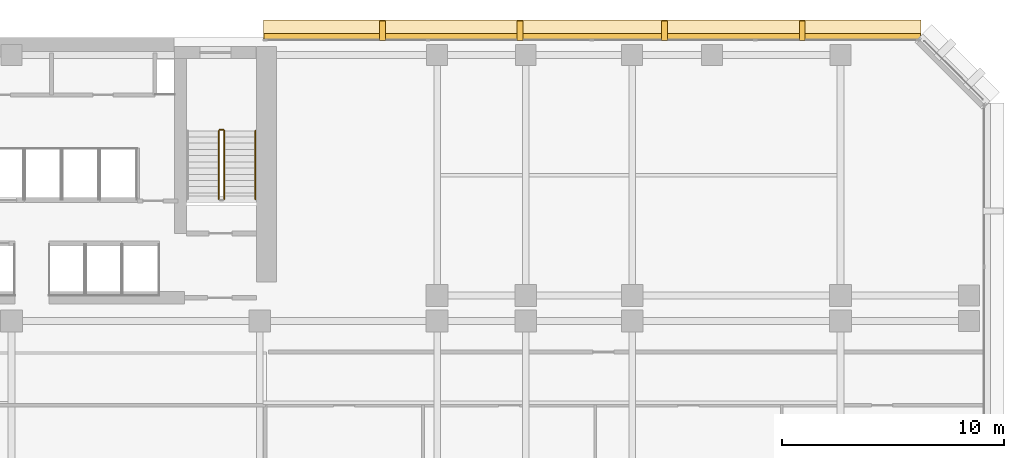
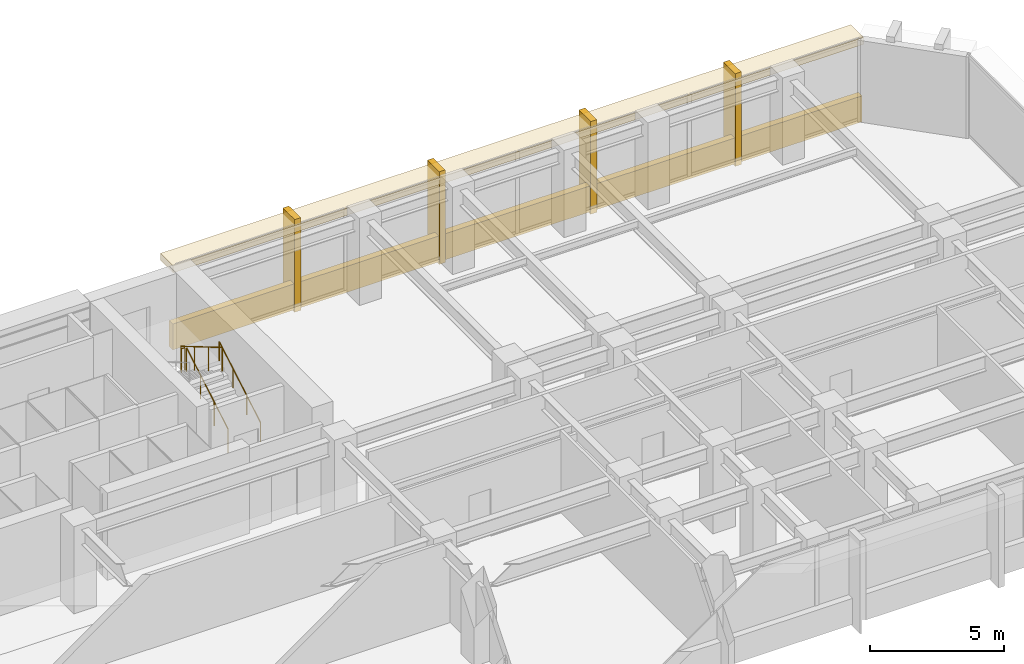
# One storey, part 12 of 13: 6 coverings, 4 railings.
"""IFC4 building model written with IfcOpenShell, lengths in metres."""

from ifc_helpers import new_model, si_unit, direction, frame, origin, origin_2d, place, context, subcontext, project, spatial, rectangle, circle, extrude, material, layer, layer_set, type_object, element, save


model = new_model("IFC4")

# Units and contexts
model_context = context("Model", 3, precision=1e-05, world=origin(), true_north=direction((0.0, 1.0)))
body_context = subcontext(model_context, "Body", "Model", "MODEL_VIEW")
ifc_project = project(units=[si_unit("LENGTHUNIT", "METRE"), si_unit("AREAUNIT", "SQUARE_METRE"), si_unit("VOLUMEUNIT", "CUBIC_METRE"), si_unit("PLANEANGLEUNIT", "RADIAN"), si_unit("MASSUNIT", "GRAM", prefix="KILO")], contexts=[model_context])

# Site, building, storey
site_placement = place(None, origin())
site = spatial("IfcSite", under=ifc_project, at=site_placement, CompositionType="ELEMENT")
building_placement = place(site_placement, origin())
building = spatial("IfcBuilding", under=site, at=building_placement, Name="Kefirva Bronze Tower", CompositionType="ELEMENT")
storey_placement = place(building_placement, frame((0.0, 0.0, 77.8798828125)))
storey = spatial("IfcBuildingStorey", under=building, at=storey_placement, Name="L18", CompositionType="ELEMENT", Elevation=77.8798828125)

# Covering
ifc_material_1 = material(Name="Bronze anodised aluminium", Category="aluminium")
ifc_layer_1 = layer(ifc_material_1, 0.02001953125, Name="Bronze anodised aluminium")
ifc_layer_set_1 = layer_set([ifc_layer_1], Name="Bronze anodised aluminium")
covering_type_1 = type_object("IfcCoveringType", Name="Anodised Bronze Spandrel Cladding 20mm", PredefinedType="CLADDING", material=ifc_layer_set_1)
covering_1_placement = place(storey_placement, frame((38.202392578125, 46.0400390625, -0.15966796875), z_axis=(0.0, 0.0, 1.0), x_axis=(-1.0, 0.0, 0.0)))
element("IfcCovering", 1, at=covering_1_placement, inside=storey, type_object=covering_type_1, Name="L18 Streamline Horizontal Spandrel Band 12", PredefinedType="CLADDING", context=body_context, shape_type="SweptSolid", body=[
    extrude(rectangle(XDim=29.635009765625, YDim=0.280029296875, at=origin_2d()), origin(), (0.0, 0.0, 1.0), 1.179931640625),
])

# Railings
ifc_material_2 = material(Name="Stainless steel 316", Category="steel")
railing_type_1 = type_object("IfcRailingType", Name="Interior Stair Guardrail 1100mm", PredefinedType="GUARDRAIL", material=ifc_material_2)
railing_1_placement = place(storey_placement, frame((21.60009765625, 38.699951171875, 0.1650390625)))
element("IfcRailing", 2, at=railing_1_placement, inside=storey, type_object=railing_type_1, Name="L18 ST-2 stair guard 1", PredefinedType="GUARDRAIL", context=body_context, shape_type="SweptSolid", body=[
    extrude(circle(Radius=0.02392578125, at=origin_2d()), frame((0.0, 0.0, 1.076171875), z_axis=(0.0, 0.861521393093, 0.507721271215), x_axis=(-1.0, 0.0, 0.0)), (0.0, 0.0, 1.0), 3.5751953125),
    extrude(circle(Radius=0.02099609375, at=origin_2d()), origin(), (0.0, 0.0, 1.0), 1.052001953125),
    extrude(circle(Radius=0.02099609375, at=origin_2d()), frame((0.0, 1.026611328125, 0.60498046875)), (0.0, 0.0, 1.0), 1.052001953125),
    extrude(circle(Radius=0.02099609375, at=origin_2d()), frame((0.0, 2.053466796875, 1.210205078125)), (0.0, 0.0, 1.0), 1.052001953125),
    extrude(circle(Radius=0.02099609375, at=origin_2d()), frame((0.0, 3.080078125, 1.815185546875)), (0.0, 0.0, 1.0), 1.052001953125),
])
railing_2_placement = place(storey_placement, frame((21.550048828125, 41.830078125, 1.980224609375)))
element("IfcRailing", 3, at=railing_2_placement, inside=storey, type_object=railing_type_1, Name="L18 ST-2 stair guard 2", PredefinedType="GUARDRAIL", context=body_context, shape_type="SweptSolid", body=[
    extrude(circle(Radius=0.02392578125, at=origin_2d()), frame((0.0, 0.0, 1.076171875), z_axis=(-1.0, 0.0, 0.0), x_axis=(0.0, -1.0, 0.0)), (0.0, 0.0, 1.0), 0.150146484375),
    extrude(circle(Radius=0.02099609375, at=origin_2d()), origin(), (0.0, 0.0, 1.0), 1.052001953125),
    extrude(circle(Radius=0.02099609375, at=origin_2d()), frame((-0.150146484375, 0.0, 0.0)), (0.0, 0.0, 1.0), 1.052001953125),
])
railing_3_placement = place(storey_placement, frame((21.35009765625, 41.780029296875, 2.14501953125)))
element("IfcRailing", 4, at=railing_3_placement, inside=storey, type_object=railing_type_1, Name="L18 ST-2 stair guard 3", PredefinedType="GUARDRAIL", context=body_context, shape_type="SweptSolid", body=[
    extrude(circle(Radius=0.02392578125, at=origin_2d()), frame((0.0, 0.0, 1.076171875), z_axis=(0.0, -0.861521393093, 0.507721271215), x_axis=(1.0, 0.0, 0.0)), (0.0, 0.0, 1.0), 3.5751953125),
    extrude(circle(Radius=0.02099609375, at=origin_2d()), origin(), (0.0, 0.0, 1.0), 1.052001953125),
    extrude(circle(Radius=0.02099609375, at=origin_2d()), frame((0.0, -1.026611328125, 0.60498046875)), (0.0, 0.0, 1.0), 1.052001953125),
    extrude(circle(Radius=0.02099609375, at=origin_2d()), frame((0.0, -2.053466796875, 1.210205078125)), (0.0, 0.0, 1.0), 1.052001953125),
    extrude(circle(Radius=0.02099609375, at=origin_2d()), frame((0.0, -3.080078125, 1.815185546875)), (0.0, 0.0, 1.0), 1.052001953125),
])
railing_type_2 = type_object("IfcRailingType", Name="Stair Pitch Handrail 900mm", PredefinedType="HANDRAIL", material=ifc_material_2)
railing_4_placement = place(storey_placement, frame((23.0, 38.699951171875, 0.1650390625)))
element("IfcRailing", 5, at=railing_4_placement, inside=storey, type_object=railing_type_2, Name="L18 ST-2 stair handrail 1", PredefinedType="HANDRAIL", context=body_context, shape_type="SweptSolid", body=[
    extrude(circle(Radius=0.02392578125, at=origin_2d()), frame((0.0, 0.0, 0.8759765625), z_axis=(0.0, 0.861521393093, 0.507721271215), x_axis=(-1.0, 0.0, 0.0)), (0.0, 0.0, 1.0), 3.5751953125),
    extrude(circle(Radius=0.02099609375, at=origin_2d()), origin(), (0.0, 0.0, 1.0), 0.851806640625),
    extrude(circle(Radius=0.02099609375, at=origin_2d()), frame((0.0, 1.026611328125, 0.60498046875)), (0.0, 0.0, 1.0), 0.851806640625),
    extrude(circle(Radius=0.02099609375, at=origin_2d()), frame((0.0, 2.053466796875, 1.210205078125)), (0.0, 0.0, 1.0), 0.851806640625),
    extrude(circle(Radius=0.02099609375, at=origin_2d()), frame((0.0, 3.080078125, 1.815185546875)), (0.0, 0.0, 1.0), 0.851806640625),
])

# Coverings
ifc_layer_2 = layer(ifc_material_1, 0.179931640625, Name="Bronze anodised aluminium")
ifc_layer_set_2 = layer_set([ifc_layer_2], Name="Bronze anodised aluminium")
covering_type_2 = type_object("IfcCoveringType", Name="Streamline Bronze Sunshade Eyebrow Cladding 180mm", PredefinedType="CLADDING", material=ifc_layer_set_2)
covering_2_placement = place(storey_placement, frame((38.202392578125, 46.31005859375, 3.39013671875), z_axis=(0.0, 0.0, 1.0), x_axis=(-1.0, 0.0, 0.0)))
element("IfcCovering", 6, at=covering_2_placement, inside=storey, type_object=covering_type_2, Name="L18 Streamline Bronze Sunshade Eyebrow 12", PredefinedType="CLADDING", context=body_context, shape_type="SweptSolid", body=[
    extrude(rectangle(XDim=29.675048828125, YDim=0.93994140625, at=origin_2d()), origin(), (0.0, 0.0, 1.0), 0.320068359375),
])
ifc_layer_3 = layer(ifc_material_1, 0.260009765625, Name="Bronze anodised aluminium")
ifc_layer_set_3 = layer_set([ifc_layer_3], Name="Bronze anodised aluminium")
covering_type_3 = type_object("IfcCoveringType", Name="Unbroken Bronze Buttress Fin Cladding 260mm", PredefinedType="CLADDING", material=ifc_layer_set_3)
for number, where, z_axis, x_axis, name in (
    (7, (47.6728515625, 46.300048828125, -0.249755859375), (0.0, 0.0, 1.0), (-1.0, 0.0, 0.0), "L18 Unbroken Vertical Bronze Rib Fin 19"),
    (8, (41.4580078125, 46.300048828125, -0.249755859375), (0.0, 0.0, 1.0), (-1.0, 0.0, 0.0), "L18 Unbroken Vertical Bronze Rib Fin 20"),
    (9, (34.947021484375, 46.300048828125, -0.249755859375), (0.0, 0.0, 1.0), (-1.0, 0.0, 0.0), "L18 Unbroken Vertical Bronze Rib Fin 21"),
    (10, (28.732177734375, 46.300048828125, -0.249755859375), (0.0, 0.0, 1.0), (-1.0, 0.0, 0.0), "L18 Unbroken Vertical Bronze Rib Fin 22"),
):
    element("IfcCovering", number, at=place(storey_placement, frame(where, z_axis=z_axis, x_axis=x_axis)), inside=storey, type_object=covering_type_3, Name=name, PredefinedType="CLADDING", context=body_context, shape_type="SweptSolid", body=[
        extrude(rectangle(XDim=0.260009765625, YDim=0.8798828125, at=origin_2d()), origin(), (0.0, 0.0, 1.0), 4.2099609375),
    ])

save(model, "model.ifc")
